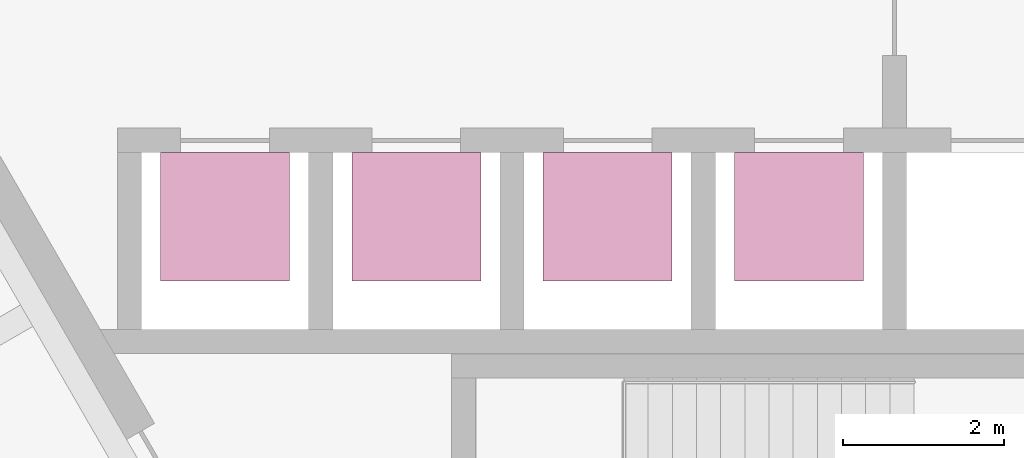
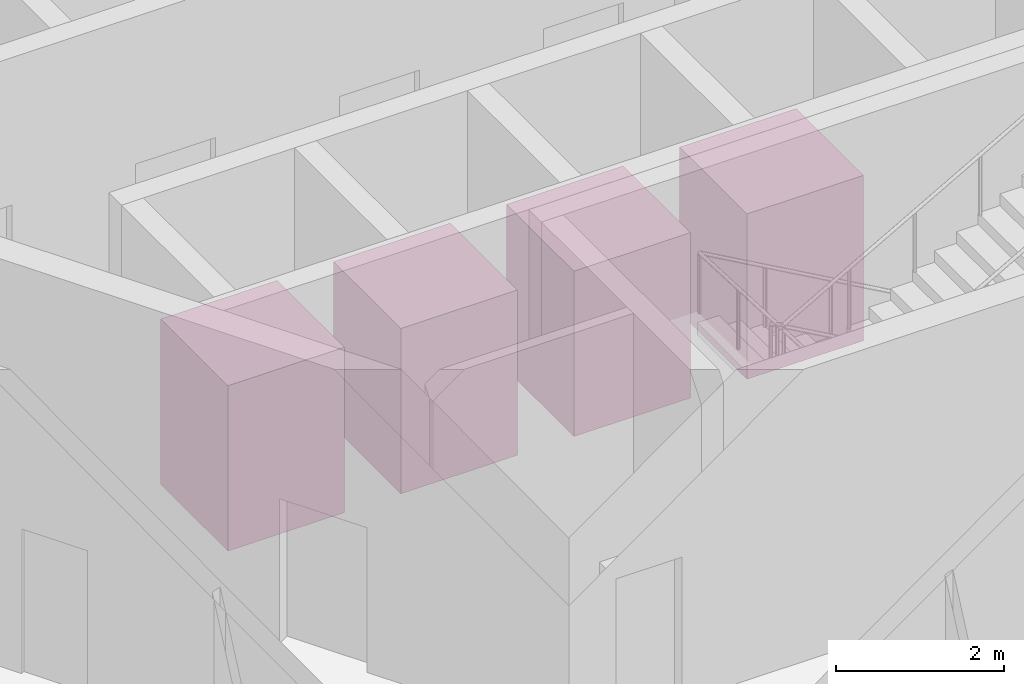
# One storey, part 22 of 22: 4 transport elements.
"""IFC4 building model written with IfcOpenShell, lengths in metres."""

from ifc_helpers import new_model, si_unit, direction, frame, origin, origin_2d, place, context, subcontext, project, spatial, rectangle, extrude, source, transform, mapped, material, type_object, element, save


model = new_model("IFC4")

# Units and contexts
model_context = context("Model", 3, precision=1e-05, world=origin(), true_north=direction((0.0, 1.0)))
body_context = subcontext(model_context, "Body", "Model", "MODEL_VIEW")
ifc_project = project(units=[si_unit("LENGTHUNIT", "METRE"), si_unit("AREAUNIT", "SQUARE_METRE"), si_unit("VOLUMEUNIT", "CUBIC_METRE"), si_unit("PLANEANGLEUNIT", "RADIAN"), si_unit("MASSUNIT", "GRAM", prefix="KILO")], contexts=[model_context])

# Site, building, storey
site_placement = place(None, origin())
site = spatial("IfcSite", under=ifc_project, at=site_placement, CompositionType="ELEMENT")
building_placement = place(site_placement, origin())
building = spatial("IfcBuilding", under=site, at=building_placement, Name="Triune Harvest Tower", CompositionType="ELEMENT")
storey_placement = place(building_placement, frame((0.0, 0.0, 138.10009765625)))
storey = spatial("IfcBuildingStorey", under=building, at=storey_placement, Name="L35", CompositionType="ELEMENT", Elevation=138.10009765625)

# Transport elements
ifc_material = material(Name="Stainless steel AISI 304", Category="steel")
transport_element_type = type_object("IfcTransportElementType", Name="High-rise passenger lift 1600 x 1600", PredefinedType="ELEVATOR", material=ifc_material)
shared_shape = source(origin(), body_context, "Body", "SweptSolid", [
    extrude(rectangle(XDim=1.60009765625, YDim=1.60009765625, at=origin_2d()), origin(), (0.0, 0.0, 1.0), 2.39990234375),
])
for number, where, z_axis, x_axis, name in (
    (1, (-6.762451171875, -4.18994140625, 0.0), (0.0, 0.0, 1.0), (1.0, 0.0, 0.0), "High-rise passenger lift HR-1"),
    (2, (-4.387451171875, -4.18994140625, 0.0), (0.0, 0.0, 1.0), (1.0, 0.0, 0.0), "High-rise passenger lift HR-2"),
    (3, (-2.012451171875, -4.18994140625, 0.0), (0.0, 0.0, 1.0), (1.0, 0.0, 0.0), "High-rise passenger lift HR-3"),
    (4, (0.362548828125, -4.18994140625, 0.0), (0.0, 0.0, 1.0), (1.0, 0.0, 0.0), "High-rise passenger lift HR-4"),
):
    element("IfcTransportElement", number, at=place(storey_placement, frame(where, z_axis=z_axis, x_axis=x_axis)), inside=storey, type_object=transport_element_type, Name=name, PredefinedType="ELEVATOR", context=body_context, shape_type="MappedRepresentation", body=[
        mapped(shared_shape, transform((0.0, 0.0, 0.0), scale=1.0)),
    ])

save(model, "model.ifc")
